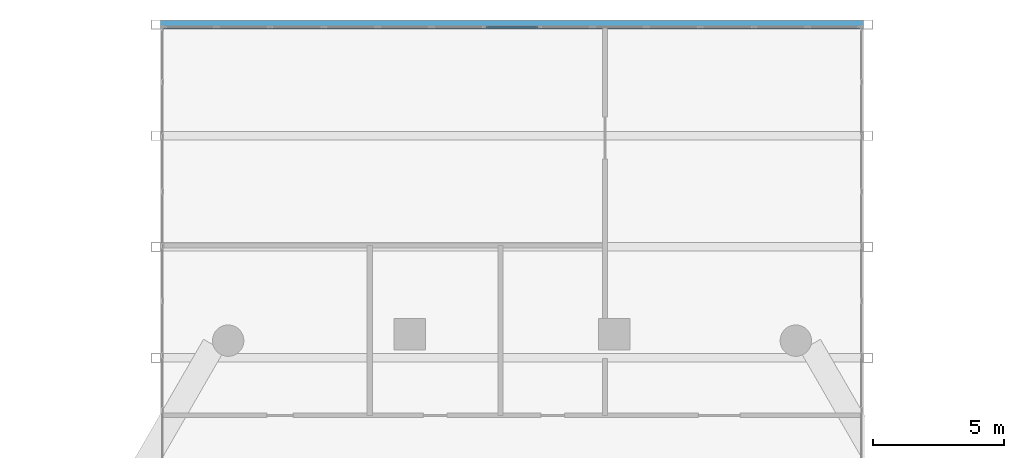
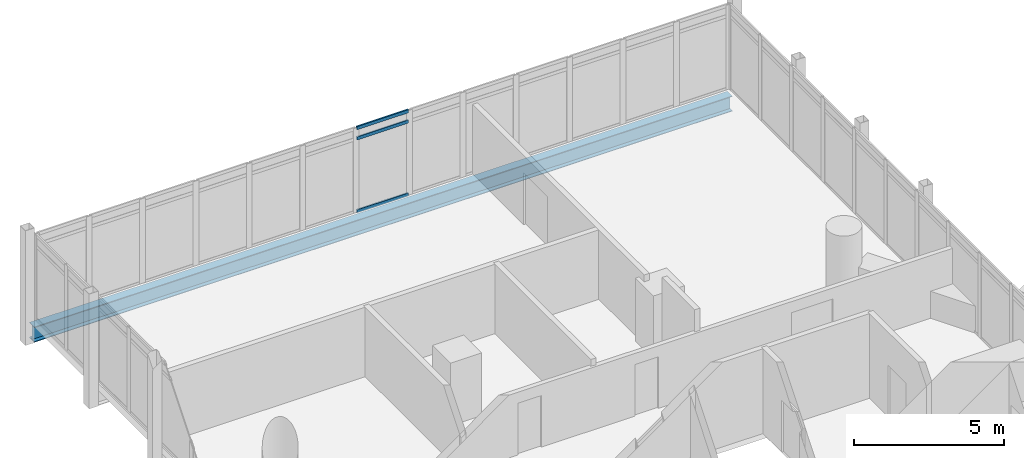
# One storey, part 16 of 28: 3 members, 1 beam, 1 element without a shape of its own.
"""IFC4 building model written with IfcOpenShell, lengths in metres."""

import ifcopenshell
import ifcopenshell.guid

model = None  # the IFC model being written
_history = None  # IfcOwnerHistory: only IFC2X3 demands one
_inside = {}  # id of a spatial element -> (the spatial element, [elements in it])
_under = {}  # id of a project, library or spatial element -> (it, [spatial elements below it])
_declared = {}  # id of a project -> (the project, [libraries it declares])
_typed = {}  # id of a type object -> (the type object, [elements of that type])
_made_of = {}  # id of a material, layer set ... -> (it, [elements and type objects made of it])


def new_model(schema):
    """Start an empty IFC model of exactly this schema.

    Asked for "IFC4X3", IfcOpenShell would pick the latest addendum, in which some entities
    have other attributes; the version numbers below select the first issue.
    IFC2X3 requires an IfcOwnerHistory on every rooted entity: one is made here for all.
    """
    global model, _history
    if schema == "IFC4X3":
        model = ifcopenshell.file(schema_version=(4, 3, 0, 0))
    else:
        model = ifcopenshell.file(schema=schema)
    _inside.clear()
    _under.clear()
    _declared.clear()
    _typed.clear()
    _made_of.clear()
    _history = None
    if model.schema == "IFC2X3":
        org = make("IfcOrganization", Name="unknown")
        user = make(
            "IfcPersonAndOrganization",
            ThePerson=make("IfcPerson", FamilyName="unknown"),
            TheOrganization=org,
        )
        app = make(
            "IfcApplication",
            ApplicationDeveloper=org,
            Version="unknown",
            ApplicationFullName="unknown",
            ApplicationIdentifier="unknown",
        )
        _history = make(
            "IfcOwnerHistory",
            OwningUser=user,
            OwningApplication=app,
            ChangeAction="ADDED",
            CreationDate=0,
        )
    return model


def make(cls, **values):
    """One entity of the class cls with the attributes given. An attribute that is None is left unset."""
    return model.create_entity(
        cls, **{name: value for name, value in values.items() if value is not None}
    )


def rooted(cls, **values):
    """An entity with a GlobalId (a new one), such as an element, a storey or a relation."""
    return make(cls, GlobalId=ifcopenshell.guid.new(), OwnerHistory=_history, **values)


def si_unit(unit_type, name, prefix=None):
    """IfcSIUnit, for example si_unit("LENGTHUNIT", "METRE", prefix="MILLI")."""
    return make("IfcSIUnit", UnitType=unit_type, Prefix=prefix, Name=name)


def assignment(units):
    """IfcUnitAssignment: the units of a project."""
    return None if units is None else make("IfcUnitAssignment", Units=units)


def point(xyz):
    """IfcCartesianPoint."""
    return None if xyz is None else make("IfcCartesianPoint", Coordinates=xyz)


def direction(xyz):
    """IfcDirection."""
    return None if xyz is None else make("IfcDirection", DirectionRatios=xyz)


def frame(location, z_axis=None, x_axis=None):
    """IfcAxis2Placement3D, a coordinate frame: its origin and axes. An axis left out is left unset."""
    return make(
        "IfcAxis2Placement3D",
        Location=point(location),
        Axis=direction(z_axis),
        RefDirection=direction(x_axis),
    )


def frame_2d(location, x_axis=None):
    """IfcAxis2Placement2D, a coordinate frame in the plane: its origin and x axis."""
    return make(
        "IfcAxis2Placement2D", Location=point(location), RefDirection=direction(x_axis)
    )


def origin():
    """The frame at (0, 0, 0) with its axes left unset."""
    return frame((0.0, 0.0, 0.0))


def origin_2d():
    """The frame at (0, 0) in the plane with its x axis left unset."""
    return frame_2d((0.0, 0.0))


def place(relative_to, where):
    """IfcLocalPlacement: puts the frame where relative to a parent placement (None: the world)."""
    return make(
        "IfcLocalPlacement", PlacementRelTo=relative_to, RelativePlacement=where
    )


def context(
    kind, dimensions, precision=None, world=None, true_north=None, identifier=None
):
    """IfcGeometricRepresentationContext, for example the 3D "Model" context."""
    return make(
        "IfcGeometricRepresentationContext",
        ContextIdentifier=identifier,
        ContextType=kind,
        CoordinateSpaceDimension=dimensions,
        Precision=precision,
        WorldCoordinateSystem=world,
        TrueNorth=true_north,
    )


def subcontext(parent, identifier, kind, view, scale=None):
    """IfcGeometricRepresentationSubContext, for example "Body" below "Model"."""
    return make(
        "IfcGeometricRepresentationSubContext",
        ContextIdentifier=identifier,
        ContextType=kind,
        ParentContext=parent,
        TargetScale=scale,
        TargetView=view,
    )


def project(units=None, contexts=None):
    """IfcProject with its units and contexts."""
    return rooted(
        "IfcProject",
        Name="project",
        RepresentationContexts=contexts,
        UnitsInContext=assignment(units),
    )


def spatial(cls, under=None, at=None, **own):
    """A site, building, storey or space (cls), placed at a placement, below another one or the project."""
    s = rooted(cls, ObjectPlacement=at, **own)
    if under is not None:
        _under.setdefault(under.id(), (under, []))[1].append(s)
    return s


def profile(cls, at=None, kind="AREA", **sizes):
    """A parametric profile (cls). Its sizes go by their IFC names, for example OverallWidth=200.0."""
    return make(cls, ProfileType=kind, Position=at, **sizes)


def hollow_rectangle(**sizes):
    """IfcRectangleHollowProfileDef."""
    return profile("IfcRectangleHollowProfileDef", **sizes)


def i_section(**sizes):
    """IfcIShapeProfileDef."""
    return profile("IfcIShapeProfileDef", **sizes)


def extrude(swept, where, along, depth):
    """IfcExtrudedAreaSolid: the profile swept, set in the frame where, extruded along a direction by depth."""
    return make(
        "IfcExtrudedAreaSolid",
        SweptArea=swept,
        Position=where,
        ExtrudedDirection=direction(along),
        Depth=depth,
    )


def shape(context_of_items, identifier, shape_type, items):
    """IfcShapeRepresentation: the items that make up one representation, for example the "Body"."""
    return make(
        "IfcShapeRepresentation",
        ContextOfItems=context_of_items,
        RepresentationIdentifier=identifier,
        RepresentationType=shape_type,
        Items=items,
    )


def material(Name=None, Category=None):
    """IfcMaterial."""
    return make("IfcMaterial", Name=Name, Category=Category)


def material_profile(
    of_material, cross_section, Name=None, Category=None, Priority=None
):
    """IfcMaterialProfile: a cross section and its material."""
    return make(
        "IfcMaterialProfile",
        Name=Name,
        Material=of_material,
        Profile=cross_section,
        Priority=Priority,
        Category=Category,
    )


def profile_set(profiles, Name=None, composite=None):
    """IfcMaterialProfileSet."""
    return make(
        "IfcMaterialProfileSet",
        Name=Name,
        MaterialProfiles=profiles,
        CompositeProfile=composite,
    )


def made_of(thing, what):
    """Note that an element or type object is made of a material, layer set ...; save() writes the relation."""
    if what is not None:
        _made_of.setdefault(what.id(), (what, []))[1].append(thing)
    return thing


def type_object(cls, material=None, **own):
    """A type object (cls), such as IfcWallType, which elements share."""
    return made_of(rooted(cls, **own), material)


def element(
    cls,
    number,
    at=None,
    inside=None,
    cuts=None,
    type_object=None,
    material=None,
    context=None,
    identifier="Body",
    shape_type=None,
    held_by="IfcProductDefinitionShape",
    body=None,
    shapes=None,
    **own,
):
    """One element of the class cls, such as IfcWall. Its Tag is "e" and its number.

    at: its placement. inside: the storey or other place that contains it. cuts: it is an
    opening in that element (IfcRelVoidsElement). A single representation is given by context,
    identifier, shape_type and body (its items); several are given by shapes. held_by: the class
    of the entity that holds the representations. save() writes the other relations.
    """
    e = rooted(cls, Tag="e%d" % number, ObjectPlacement=at, **own)
    if body is not None:
        shapes = [shape(context, identifier, shape_type, body)]
    if shapes is not None:
        e.Representation = make(held_by, Representations=shapes)
    if inside is not None:
        _inside.setdefault(inside.id(), (inside, []))[1].append(e)
    if cuts is not None:
        rooted(
            "IfcRelVoidsElement", RelatingBuildingElement=cuts, RelatedOpeningElement=e
        )
    if type_object is not None:
        _typed.setdefault(type_object.id(), (type_object, []))[1].append(e)
    return made_of(e, material)


def aggregate(whole, parts):
    """IfcRelAggregates: a whole, such as a stair, and the parts it consists of."""
    return rooted("IfcRelAggregates", RelatingObject=whole, RelatedObjects=parts)


def save(model, path):
    """Write the relations noted so far, then the file.

    IfcRelAggregates (storeys below a building ...), IfcRelContainedInSpatialStructure (elements
    in a storey), IfcRelDefinesByType, IfcRelAssociatesMaterial and IfcRelDeclares: one each for
    every whole, place, type object, material and project.
    """
    for whole, parts in _under.values():
        aggregate(whole, parts)
    for where, things in _inside.values():
        rooted(
            "IfcRelContainedInSpatialStructure",
            RelatedElements=things,
            RelatingStructure=where,
        )
    for kind, things in _typed.values():
        rooted("IfcRelDefinesByType", RelatedObjects=things, RelatingType=kind)
    for what, things in _made_of.values():
        rooted("IfcRelAssociatesMaterial", RelatedObjects=things, RelatingMaterial=what)
    for by, libraries in _declared.values():
        rooted("IfcRelDeclares", RelatingContext=by, RelatedDefinitions=libraries)
    model.write(path)


model = new_model("IFC4")

# Units and contexts
model_context = context("Model", 3, precision=1e-05, world=origin(), true_north=direction((0.0, 1.0)))
body_context = subcontext(model_context, "Body", "Model", "MODEL_VIEW")
ifc_project = project(units=[si_unit("LENGTHUNIT", "METRE"), si_unit("AREAUNIT", "SQUARE_METRE"), si_unit("VOLUMEUNIT", "CUBIC_METRE"), si_unit("PLANEANGLEUNIT", "RADIAN"), si_unit("MASSUNIT", "GRAM", prefix="KILO")], contexts=[model_context])

# Site, building, storey
site_placement = place(None, origin())
site = spatial("IfcSite", under=ifc_project, at=site_placement, CompositionType="ELEMENT")
building_placement = place(site_placement, origin())
building = spatial("IfcBuilding", under=site, at=building_placement, Name="Ostrander Bayou Hotel Tower", CompositionType="ELEMENT")
storey_placement = place(building_placement, frame((0.0, 0.0, 104.25)))
storey = spatial("IfcBuildingStorey", under=building, at=storey_placement, Name="L26", CompositionType="ELEMENT", Elevation=104.25)

# Curtain wall, members
ifc_material_1 = material(Name="Aluminium and clear glass", Category="aluminium")
curtain_wall_type = type_object("IfcCurtainWallType", Name="CW-BAR glazed wall", PredefinedType="NOTDEFINED", material=ifc_material_1)
curtain_wall_placement = place(storey_placement, origin())
curtain_wall = element("IfcCurtainWall", 1, at=curtain_wall_placement, inside=storey, type_object=curtain_wall_type, Name="CW-BAR L26:SB2N:T", PredefinedType="NOTDEFINED")
ifc_material_2 = material(Name="Aluminium", Category="aluminium")
ifc_material_profile_1 = material_profile(ifc_material_2, hollow_rectangle(XDim=0.06005859375, YDim=0.1298828125, WallThickness=0.00390625, at=origin_2d()))
ifc_profile_set_1 = profile_set([ifc_material_profile_1], Name="Aluminium")
member_type = type_object("IfcMemberType", Name="CW-BR transom 60 x 130 mm", PredefinedType="USERDEFINED", material=ifc_profile_set_1)
member_1_placement = place(storey_placement, frame((-0.998291015625, 31.4453125, 0.030029296875), z_axis=(1.0, 0.0, 0.0), x_axis=(0.0, 1.0, 0.0)))
member_1 = element("IfcMember", 2, at=member_1_placement, type_object=member_type, Name="CW-BAR transom 7.1", ObjectType="TRANSOM", PredefinedType="USERDEFINED", context=body_context, shape_type="SweptSolid", body=[
    extrude(hollow_rectangle(XDim=0.06005859375, YDim=0.1298828125, WallThickness=0.00390625, at=origin_2d()), origin(), (0.0, 0.0, 1.0), 1.99658203125),
])
member_2_placement = place(storey_placement, frame((-0.998291015625, 31.4453125, 3.0), z_axis=(1.0, 0.0, 0.0), x_axis=(0.0, 1.0, 0.0)))
member_2 = element("IfcMember", 3, at=member_2_placement, type_object=member_type, Name="CW-BAR transom 7.2", ObjectType="TRANSOM", PredefinedType="USERDEFINED", context=body_context, shape_type="SweptSolid", body=[
    extrude(hollow_rectangle(XDim=0.06005859375, YDim=0.1298828125, WallThickness=0.00390625, at=origin_2d()), origin(), (0.0, 0.0, 1.0), 1.99658203125),
])
member_3_placement = place(storey_placement, frame((-0.998291015625, 31.4453125, 3.419921875), z_axis=(1.0, 0.0, 0.0), x_axis=(0.0, 1.0, 0.0)))
member_3 = element("IfcMember", 4, at=member_3_placement, type_object=member_type, Name="CW-BAR transom 7.3", ObjectType="TRANSOM", PredefinedType="USERDEFINED", context=body_context, shape_type="SweptSolid", body=[
    extrude(hollow_rectangle(XDim=0.06005859375, YDim=0.1298828125, WallThickness=0.00390625, at=origin_2d()), origin(), (0.0, 0.0, 1.0), 1.99658203125),
])
aggregate(curtain_wall, [member_1, member_2, member_3])

# Beam
ifc_material_3 = material(Name="Steel ASTM A992", Category="steel")
ifc_material_profile_2 = material_profile(ifc_material_3, i_section(OverallWidth=0.32763671875, OverallDepth=0.621826171875, WebThickness=0.015380859375, FlangeThickness=0.0244140625, at=origin_2d()))
ifc_profile_set_2 = profile_set([ifc_material_profile_2], Name="Steel ASTM A992")
beam_type = type_object("IfcBeamType", Name="TF1 bar floor beam W24x131", PredefinedType="BEAM", material=ifc_profile_set_2)
beam_placement = place(storey_placement, frame((-13.442138671875, 31.54541015625, -0.61083984375), z_axis=(1.0, 0.0, 0.0), x_axis=(0.0, 1.0, 0.0)))
element("IfcBeam", 5, at=beam_placement, inside=storey, type_object=beam_type, Name="TF1 SB2W L4-1", PredefinedType="BEAM", context=body_context, shape_type="SweptSolid", body=[
    extrude(i_section(OverallWidth=0.32763671875, OverallDepth=0.621826171875, WebThickness=0.015380859375, FlangeThickness=0.0244140625, at=origin_2d()), origin(), (0.0, 0.0, 1.0), 26.88427734375),
])

save(model, "model.ifc")
